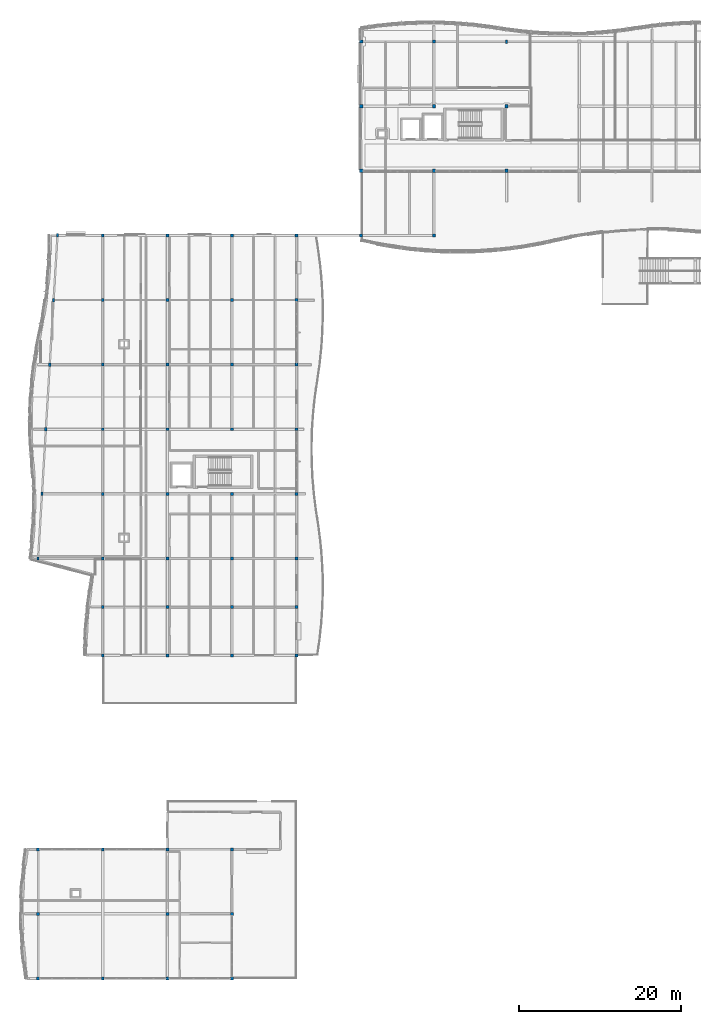
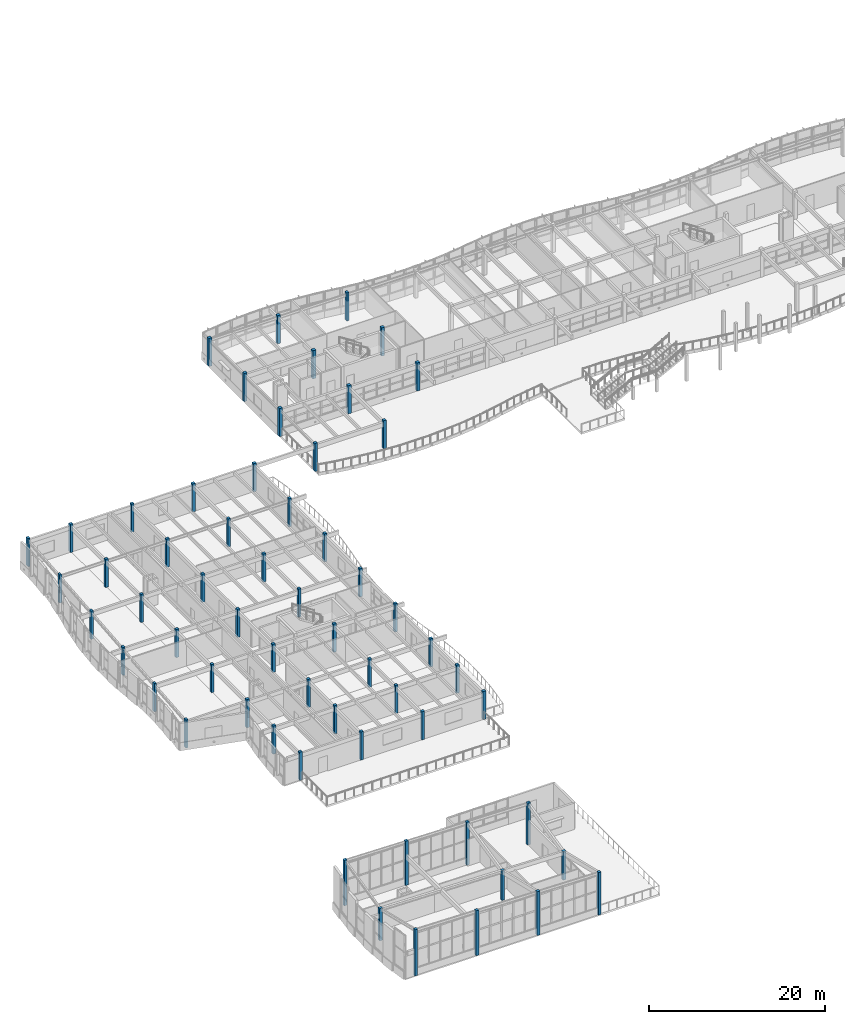
# One storey, part 1 of 63: 60 columns.
"""IFC4 building model written with IfcOpenShell, lengths in metres."""

from ifc_helpers import new_model, si_unit, direction, frame, origin, origin_2d, place, context, subcontext, project, spatial, rectangle, extrude, material, material_profile, profile_set, type_object, element, save


model = new_model("IFC4")

# Units and contexts
model_context = context("Model", 3, precision=1e-05, world=origin(), true_north=direction((0.0, 1.0)))
body_context = subcontext(model_context, "Body", "Model", "MODEL_VIEW")
ifc_project = project(units=[si_unit("LENGTHUNIT", "METRE"), si_unit("AREAUNIT", "SQUARE_METRE"), si_unit("VOLUMEUNIT", "CUBIC_METRE"), si_unit("PLANEANGLEUNIT", "RADIAN"), si_unit("MASSUNIT", "GRAM", prefix="KILO")], contexts=[model_context])

# Site, building, storey
site_placement = place(None, origin())
site = spatial("IfcSite", under=ifc_project, at=site_placement, CompositionType="ELEMENT")
building_placement = place(site_placement, origin())
building = spatial("IfcBuilding", under=site, at=building_placement, Name="Tonlespit Floodbar School", CompositionType="ELEMENT")
storey_placement = place(building_placement, frame((0.0, 0.0, 8.39990234375)))
storey = spatial("IfcBuildingStorey", under=building, at=storey_placement, Name="L02", CompositionType="ELEMENT", Elevation=8.39990234375)

# Columns
ifc_material = material(Name="Glulam GL28h", Category="wood")
ifc_material_profile_1 = material_profile(ifc_material, rectangle(XDim=0.360107421875, YDim=0.360107421875, at=origin_2d()), Name="GL 360x360")
ifc_profile_set_1 = profile_set([ifc_material_profile_1], Name="Glulam GL28h")
column_type_1 = type_object("IfcColumnType", Name="Column_GL_360x360", PredefinedType="COLUMN", material=ifc_profile_set_1)
column_1_placement = place(storey_placement, frame((4.0, 4.0, 0.0), z_axis=(0.0, 0.0, 1.0), x_axis=(1.0, 0.0, 0.0)))
element("IfcColumn", 1, at=column_1_placement, inside=storey, type_object=column_type_1, Name="L02 column U01/V01", PredefinedType="COLUMN", context=body_context, shape_type="SweptSolid", body=[
    extrude(rectangle(XDim=0.360107421875, YDim=0.360107421875, at=origin_2d()), origin(), (0.0, 0.0, 1.0), 6.391845703125),
])
column_2_placement = place(storey_placement, frame((4.0, 12.0, 0.0), z_axis=(0.0, 0.0, 1.0), x_axis=(1.0, 0.0, 0.0)))
element("IfcColumn", 2, at=column_2_placement, inside=storey, type_object=column_type_1, Name="L02 column U01/V02", PredefinedType="COLUMN", context=body_context, shape_type="SweptSolid", body=[
    extrude(rectangle(XDim=0.360107421875, YDim=0.360107421875, at=origin_2d()), origin(), (0.0, 0.0, 1.0), 4.46240234375),
])
column_3_placement = place(storey_placement, frame((4.0, 20.0, 0.0), z_axis=(0.0, 0.0, 1.0), x_axis=(1.0, 0.0, 0.0)))
element("IfcColumn", 3, at=column_3_placement, inside=storey, type_object=column_type_1, Name="L02 column U01/V03", PredefinedType="COLUMN", context=body_context, shape_type="SweptSolid", body=[
    extrude(rectangle(XDim=0.360107421875, YDim=0.360107421875, at=origin_2d()), origin(), (0.0, 0.0, 1.0), 6.297607421875),
])
column_4_placement = place(storey_placement, frame((12.0, 4.0, 0.0), z_axis=(0.0, 0.0, 1.0), x_axis=(1.0, 0.0, 0.0)))
element("IfcColumn", 4, at=column_4_placement, inside=storey, type_object=column_type_1, Name="L02 column U02/V01", PredefinedType="COLUMN", context=body_context, shape_type="SweptSolid", body=[
    extrude(rectangle(XDim=0.360107421875, YDim=0.360107421875, at=origin_2d()), origin(), (0.0, 0.0, 1.0), 6.224609375),
])
column_5_placement = place(storey_placement, frame((12.0, 20.0, 0.0), z_axis=(0.0, 0.0, 1.0), x_axis=(1.0, 0.0, 0.0)))
element("IfcColumn", 5, at=column_5_placement, inside=storey, type_object=column_type_1, Name="L02 column U02/V03", PredefinedType="COLUMN", context=body_context, shape_type="SweptSolid", body=[
    extrude(rectangle(XDim=0.360107421875, YDim=0.360107421875, at=origin_2d()), origin(), (0.0, 0.0, 1.0), 6.130615234375),
])
for number, where, z_axis, x_axis, name in (
    (6, (12.0, 44.0, 0.0), (0.0, 0.0, 1.0), (1.0, 0.0, 0.0), "L02 column U02/V07"),
    (7, (12.0, 50.0, 0.0), (0.0, 0.0, 1.0), (1.0, 0.0, 0.0), "L02 column U02/V08"),
    (8, (12.0, 56.0, 0.0), (0.0, 0.0, 1.0), (1.0, 0.0, 0.0), "L02 column U02/V09"),
    (9, (12.0, 64.0, 0.0), (0.0, 0.0, 1.0), (1.0, 0.0, 0.0), "L02 column U02/V10"),
    (10, (12.0, 72.0, 0.0), (0.0, 0.0, 1.0), (1.0, 0.0, 0.0), "L02 column U02/V11"),
    (11, (12.0, 80.0, 0.0), (0.0, 0.0, 1.0), (1.0, 0.0, 0.0), "L02 column U02/V12"),
    (12, (12.0, 88.0, 0.0), (0.0, 0.0, 1.0), (1.0, 0.0, 0.0), "L02 column U02/V13"),
    (13, (12.0, 96.0, 0.0), (0.0, 0.0, 1.0), (1.0, 0.0, 0.0), "L02 column U02/V14"),
):
    element("IfcColumn", number, at=place(storey_placement, frame(where, z_axis=z_axis, x_axis=x_axis)), inside=storey, type_object=column_type_1, Name=name, PredefinedType="COLUMN", context=body_context, shape_type="SweptSolid", body=[
        extrude(rectangle(XDim=0.360107421875, YDim=0.360107421875, at=origin_2d()), origin(), (0.0, 0.0, 1.0), 3.900146484375),
    ])
column_6_placement = place(storey_placement, frame((20.0, 4.0, 0.0), z_axis=(0.0, 0.0, 1.0), x_axis=(1.0, 0.0, 0.0)))
element("IfcColumn", 14, at=column_6_placement, inside=storey, type_object=column_type_1, Name="L02 column U03/V01", PredefinedType="COLUMN", context=body_context, shape_type="SweptSolid", body=[
    extrude(rectangle(XDim=0.360107421875, YDim=0.360107421875, at=origin_2d()), origin(), (0.0, 0.0, 1.0), 6.057373046875),
])
column_7_placement = place(storey_placement, frame((20.0, 12.0, 0.0), z_axis=(0.0, 0.0, 1.0), x_axis=(1.0, 0.0, 0.0)))
element("IfcColumn", 15, at=column_7_placement, inside=storey, type_object=column_type_1, Name="L02 column U03/V02", PredefinedType="COLUMN", context=body_context, shape_type="SweptSolid", body=[
    extrude(rectangle(XDim=0.360107421875, YDim=0.360107421875, at=origin_2d()), origin(), (0.0, 0.0, 1.0), 4.1279296875),
])
column_8_placement = place(storey_placement, frame((20.0, 20.0, 0.0), z_axis=(0.0, 0.0, 1.0), x_axis=(1.0, 0.0, 0.0)))
element("IfcColumn", 16, at=column_8_placement, inside=storey, type_object=column_type_1, Name="L02 column U03/V03", PredefinedType="COLUMN", context=body_context, shape_type="SweptSolid", body=[
    extrude(rectangle(XDim=0.360107421875, YDim=0.360107421875, at=origin_2d()), origin(), (0.0, 0.0, 1.0), 5.963134765625),
])
for number, where, z_axis, x_axis, name in (
    (17, (20.0, 44.0, 0.0), (0.0, 0.0, 1.0), (1.0, 0.0, 0.0), "L02 column U03/V07"),
    (18, (20.0, 50.0, 0.0), (0.0, 0.0, 1.0), (1.0, 0.0, 0.0), "L02 column U03/V08"),
    (19, (20.0, 56.0, 0.0), (0.0, 0.0, 1.0), (1.0, 0.0, 0.0), "L02 column U03/V09"),
    (20, (20.0, 64.0, 0.0), (0.0, 0.0, 1.0), (1.0, 0.0, 0.0), "L02 column U03/V10"),
    (21, (20.0, 72.0, 0.0), (0.0, 0.0, 1.0), (1.0, 0.0, 0.0), "L02 column U03/V11"),
    (22, (20.0, 80.0, 0.0), (0.0, 0.0, 1.0), (1.0, 0.0, 0.0), "L02 column U03/V12"),
    (23, (20.0, 88.0, 0.0), (0.0, 0.0, 1.0), (1.0, 0.0, 0.0), "L02 column U03/V13"),
    (24, (20.0, 96.0, 0.0), (0.0, 0.0, 1.0), (1.0, 0.0, 0.0), "L02 column U03/V14"),
):
    element("IfcColumn", number, at=place(storey_placement, frame(where, z_axis=z_axis, x_axis=x_axis)), inside=storey, type_object=column_type_1, Name=name, PredefinedType="COLUMN", context=body_context, shape_type="SweptSolid", body=[
        extrude(rectangle(XDim=0.360107421875, YDim=0.360107421875, at=origin_2d()), origin(), (0.0, 0.0, 1.0), 3.900146484375),
    ])
column_9_placement = place(storey_placement, frame((28.0, 4.0, 0.0), z_axis=(0.0, 0.0, 1.0), x_axis=(1.0, 0.0, 0.0)))
element("IfcColumn", 25, at=column_9_placement, inside=storey, type_object=column_type_1, Name="L02 column U04/V01", PredefinedType="COLUMN", context=body_context, shape_type="SweptSolid", body=[
    extrude(rectangle(XDim=0.360107421875, YDim=0.360107421875, at=origin_2d()), origin(), (0.0, 0.0, 1.0), 5.889892578125),
])
column_10_placement = place(storey_placement, frame((28.0, 12.0, 0.0), z_axis=(0.0, 0.0, 1.0), x_axis=(1.0, 0.0, 0.0)))
element("IfcColumn", 26, at=column_10_placement, inside=storey, type_object=column_type_1, Name="L02 column U04/V02", PredefinedType="COLUMN", context=body_context, shape_type="SweptSolid", body=[
    extrude(rectangle(XDim=0.360107421875, YDim=0.360107421875, at=origin_2d()), origin(), (0.0, 0.0, 1.0), 3.960693359375),
])
column_11_placement = place(storey_placement, frame((28.0, 20.0, 0.0), z_axis=(0.0, 0.0, 1.0), x_axis=(1.0, 0.0, 0.0)))
element("IfcColumn", 27, at=column_11_placement, inside=storey, type_object=column_type_1, Name="L02 column U04/V03", PredefinedType="COLUMN", context=body_context, shape_type="SweptSolid", body=[
    extrude(rectangle(XDim=0.360107421875, YDim=0.360107421875, at=origin_2d()), origin(), (0.0, 0.0, 1.0), 5.7958984375),
])
for number, where, z_axis, x_axis, name in (
    (28, (28.0, 44.0, 0.0), (0.0, 0.0, 1.0), (1.0, 0.0, 0.0), "L02 column U04/V07"),
    (29, (28.0, 50.0, 0.0), (0.0, 0.0, 1.0), (1.0, 0.0, 0.0), "L02 column U04/V08"),
    (30, (28.0, 56.0, 0.0), (0.0, 0.0, 1.0), (1.0, 0.0, 0.0), "L02 column U04/V09"),
    (31, (28.0, 64.0, 0.0), (0.0, 0.0, 1.0), (1.0, 0.0, 0.0), "L02 column U04/V10"),
    (32, (28.0, 72.0, 0.0), (0.0, 0.0, 1.0), (1.0, 0.0, 0.0), "L02 column U04/V11"),
    (33, (28.0, 80.0, 0.0), (0.0, 0.0, 1.0), (1.0, 0.0, 0.0), "L02 column U04/V12"),
    (34, (28.0, 88.0, 0.0), (0.0, 0.0, 1.0), (1.0, 0.0, 0.0), "L02 column U04/V13"),
    (35, (28.0, 96.0, 0.0), (0.0, 0.0, 1.0), (1.0, 0.0, 0.0), "L02 column U04/V14"),
    (36, (36.0, 44.0, 0.0), (0.0, 0.0, 1.0), (1.0, 0.0, 0.0), "L02 column U05/V07"),
    (37, (36.0, 50.0, 0.0), (0.0, 0.0, 1.0), (1.0, 0.0, 0.0), "L02 column U05/V08"),
    (38, (36.0, 56.0, 0.0), (0.0, 0.0, 1.0), (1.0, 0.0, 0.0), "L02 column U05/V09"),
    (39, (36.0, 64.0, 0.0), (0.0, 0.0, 1.0), (1.0, 0.0, 0.0), "L02 column U05/V10"),
    (40, (36.0, 72.0, 0.0), (0.0, 0.0, 1.0), (1.0, 0.0, 0.0), "L02 column U05/V11"),
    (41, (36.0, 80.0, 0.0), (0.0, 0.0, 1.0), (1.0, 0.0, 0.0), "L02 column U05/V12"),
    (42, (36.0, 88.0, 0.0), (0.0, 0.0, 1.0), (1.0, 0.0, 0.0), "L02 column U05/V13"),
    (43, (36.0, 96.0, 0.0), (0.0, 0.0, 1.0), (1.0, 0.0, 0.0), "L02 column U05/V14"),
    (44, (44.0, 96.0, 0.0), (0.0, 0.0, 1.0), (1.0, 0.0, 0.0), "L02 column U06/V14"),
    (45, (53.0, 96.0, 0.0), (0.0, 0.0, 1.0), (1.0, 0.0, 0.0), "L02 column U07/V14"),
):
    element("IfcColumn", number, at=place(storey_placement, frame(where, z_axis=z_axis, x_axis=x_axis)), inside=storey, type_object=column_type_1, Name=name, PredefinedType="COLUMN", context=body_context, shape_type="SweptSolid", body=[
        extrude(rectangle(XDim=0.360107421875, YDim=0.360107421875, at=origin_2d()), origin(), (0.0, 0.0, 1.0), 3.900146484375),
    ])
ifc_material_profile_2 = material_profile(ifc_material, rectangle(XDim=0.39990234375, YDim=0.39990234375, at=origin_2d()), Name="GL 400x400")
ifc_profile_set_2 = profile_set([ifc_material_profile_2], Name="Glulam GL28h")
column_type_2 = type_object("IfcColumnType", Name="Column_GL_400x400", PredefinedType="COLUMN", material=ifc_profile_set_2)
for number, where, z_axis, x_axis, name in (
    (46, (44.0, 104.0, 0.0), (0.0, 0.0, 1.0), (1.0, 0.0, 0.0), "L02 column U06/V15"),
    (47, (44.0, 112.0, 0.0), (0.0, 0.0, 1.0), (1.0, 0.0, 0.0), "L02 column U06/V16"),
    (48, (44.0, 120.0, 0.0), (0.0, 0.0, 1.0), (1.0, 0.0, 0.0), "L02 column U06/V17"),
    (49, (53.0, 104.0, 0.0), (0.0, 0.0, 1.0), (1.0, 0.0, 0.0), "L02 column U07/V15"),
    (50, (53.0, 112.0, 0.0), (0.0, 0.0, 1.0), (1.0, 0.0, 0.0), "L02 column U07/V16"),
    (51, (53.0, 120.0, 0.0), (0.0, 0.0, 1.0), (1.0, 0.0, 0.0), "L02 column U07/V17"),
    (52, (62.0, 104.0, 0.0), (0.0, 0.0, 1.0), (1.0, 0.0, 0.0), "L02 column U08/V15"),
    (53, (62.0, 112.0, 0.0), (0.0, 0.0, 1.0), (1.0, 0.0, 0.0), "L02 column U08/V16"),
):
    element("IfcColumn", number, at=place(storey_placement, frame(where, z_axis=z_axis, x_axis=x_axis)), inside=storey, type_object=column_type_2, Name=name, PredefinedType="COLUMN", context=body_context, shape_type="SweptSolid", body=[
        extrude(rectangle(XDim=0.39990234375, YDim=0.39990234375, at=origin_2d()), origin(), (0.0, 0.0, 1.0), 3.900146484375),
    ])
ifc_material_profile_3 = material_profile(ifc_material, rectangle(XDim=0.280029296875, YDim=0.419921875, at=origin_2d()), Name="GL 280x420")
ifc_profile_set_3 = profile_set([ifc_material_profile_3], Name="Glulam GL28h")
column_type_3 = type_object("IfcColumnType", Name="Pilaster_GL_280x420", PredefinedType="PILASTER", material=ifc_profile_set_3)
for number, where, z_axis, x_axis, name in (
    (54, (4.0, 56.0, 0.0), (0.0, 0.0, 1.0), (1.0, 0.0, 0.0), "L02 column U01S/V09"),
    (55, (4.47998046875, 64.0, 0.0), (0.0, 0.0, 1.0), (1.0, 0.0, 0.0), "L02 column U01S/V10"),
    (56, (4.9599609375, 72.0, 0.0), (0.0, 0.0, 1.0), (1.0, 0.0, 0.0), "L02 column U01S/V11"),
    (57, (5.43994140625, 80.0, 0.0), (0.0, 0.0, 1.0), (1.0, 0.0, 0.0), "L02 column U01S/V12"),
    (58, (5.919921875, 88.0, 0.0), (0.0, 0.0, 1.0), (1.0, 0.0, 0.0), "L02 column U01S/V13"),
    (59, (6.39990234375, 96.0, 0.0), (0.0, 0.0, 1.0), (1.0, 0.0, 0.0), "L02 column U01S/V14"),
    (60, (62.0, 120.0, 0.0), (0.0, 0.0, 1.0), (1.0, 0.0, 0.0), "L02 column U08/V17"),
):
    element("IfcColumn", number, at=place(storey_placement, frame(where, z_axis=z_axis, x_axis=x_axis)), inside=storey, type_object=column_type_3, Name=name, PredefinedType="PILASTER", context=body_context, shape_type="SweptSolid", body=[
        extrude(rectangle(XDim=0.280029296875, YDim=0.419921875, at=origin_2d()), origin(), (0.0, 0.0, 1.0), 3.900146484375),
    ])

save(model, "model.ifc")
